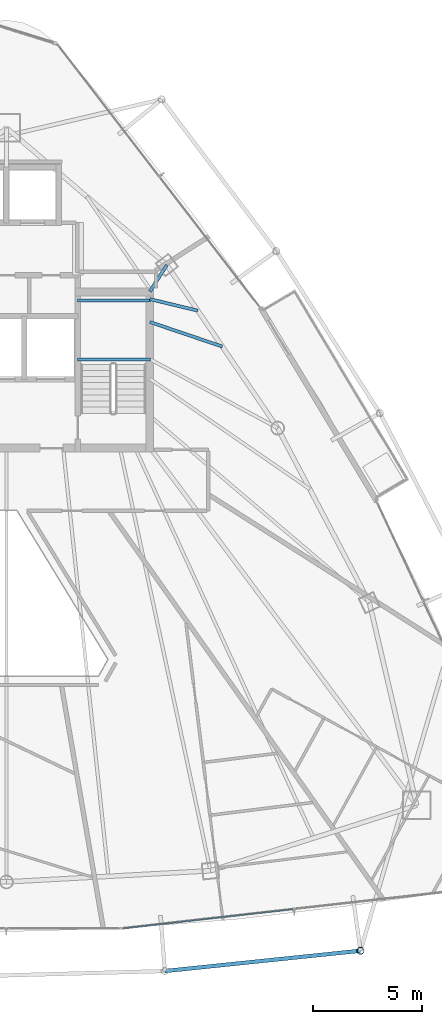
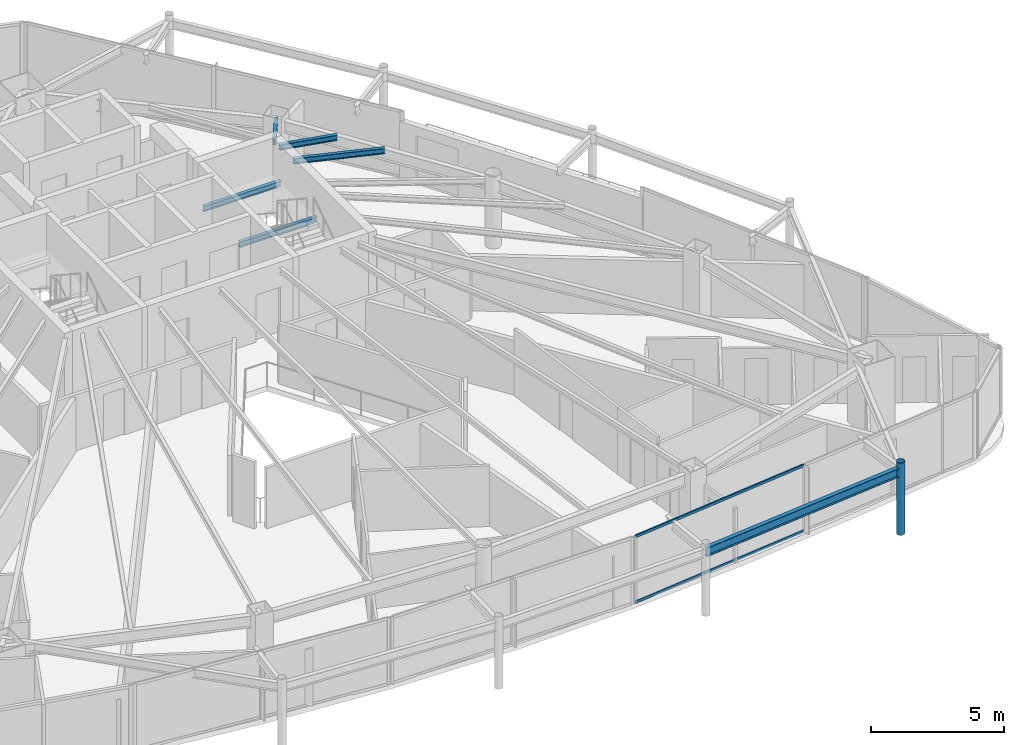
# One storey, part 14 of 33: 6 beams, 3 members, 1 element without a shape of its own.
"""IFC4 building model written with IfcOpenShell, lengths in metres."""

from ifc_helpers import new_model, si_unit, direction, frame, origin, origin_2d, place, context, subcontext, project, spatial, hollow_rectangle, hollow_circle, i_section, extrude, material, layer, layer_set, material_profile, profile_set, type_object, element, aggregate, save


model = new_model("IFC4")

# Units and contexts
model_context = context("Model", 3, precision=1e-05, world=origin(), true_north=direction((0.0, 1.0)))
body_context = subcontext(model_context, "Body", "Model", "MODEL_VIEW")
ifc_project = project(units=[si_unit("LENGTHUNIT", "METRE"), si_unit("AREAUNIT", "SQUARE_METRE"), si_unit("VOLUMEUNIT", "CUBIC_METRE"), si_unit("PLANEANGLEUNIT", "RADIAN"), si_unit("MASSUNIT", "GRAM", prefix="KILO")], contexts=[model_context])

# Site, building, storey
site_placement = place(None, origin())
site = spatial("IfcSite", under=ifc_project, at=site_placement, CompositionType="ELEMENT")
building_placement = place(site_placement, origin())
building = spatial("IfcBuilding", under=site, at=building_placement, Name="Orvanel Arch Residences", CompositionType="ELEMENT")
storey_placement = place(building_placement, frame((0.0, 0.0, 209.60009765625)))
storey = spatial("IfcBuildingStorey", under=building, at=storey_placement, Name="L59", CompositionType="ELEMENT", Elevation=209.60009765625)

# Beams
ifc_material_1 = material(Name="Structural steel AS/NZS 3679.1 Grade 300 (300 MPa)", Category="steel")
ifc_material_profile_1 = material_profile(ifc_material_1, i_section(OverallWidth=0.14599609375, OverallDepth=0.251953125, WebThickness=0.006103515625, FlangeThickness=0.008544921875, at=origin_2d()), Name="250UB31.4")
ifc_profile_set_1 = profile_set([ifc_material_profile_1], Name="Structural steel AS/NZS 3679.1 Grade 300 (300 MPa)")
beam_type_1 = type_object("IfcBeamType", Name="BJ-250UB", PredefinedType="JOIST", material=ifc_profile_set_1)
for number, where, z_axis, x_axis, name in (
    (1, (36.25, 30.780029296875, 1.323974609375), (1.0, 0.0, 0.0), (0.0, 1.0, 0.0), "L59 ST-2 Half-Landing Support Beam 1.1"),
    (2, (36.25, 33.47998046875, 1.323974609375), (1.0, 0.0, 0.0), (0.0, 1.0, 0.0), "L59 ST-2 Half-Landing Support Beam 1.2"),
):
    element("IfcBeam", number, at=place(storey_placement, frame(where, z_axis=z_axis, x_axis=x_axis)), inside=storey, type_object=beam_type_1, Name=name, PredefinedType="JOIST", context=body_context, shape_type="SweptSolid", body=[
        extrude(i_section(OverallWidth=0.14599609375, OverallDepth=0.251953125, WebThickness=0.006103515625, FlangeThickness=0.008544921875, at=origin_2d()), origin(), (0.0, 0.0, 1.0), 3.35009765625),
    ])
beam_1_placement = place(storey_placement, frame((39.574951171875, 33.89990234375, 2.933837890625), z_axis=(0.539395075146, 0.842052820735, 0.0), x_axis=(-0.842052820735, 0.539395075146, 0.0)))
element("IfcBeam", 3, at=beam_1_placement, inside=storey, type_object=beam_type_1, Name="L59 NNE Wing Floor Joist", PredefinedType="JOIST", context=body_context, shape_type="SweptSolid", body=[
    extrude(i_section(OverallWidth=0.14599609375, OverallDepth=0.251953125, WebThickness=0.006103515625, FlangeThickness=0.008544921875, at=origin_2d()), origin(), (0.0, 0.0, 1.0), 1.440673828125),
])
beam_2_placement = place(storey_placement, frame((39.574951171875, 32.5, 2.933837890625), z_axis=(0.947159269453, -0.320763648641, 0.0), x_axis=(0.320763648641, 0.947159269453, 0.0)))
element("IfcBeam", 4, at=beam_2_placement, inside=storey, type_object=beam_type_1, Name="L59 ENE Wing Floor Joist", PredefinedType="JOIST", context=body_context, shape_type="SweptSolid", body=[
    extrude(i_section(OverallWidth=0.14599609375, OverallDepth=0.251953125, WebThickness=0.006103515625, FlangeThickness=0.008544921875, at=origin_2d()), origin(), (0.0, 0.0, 1.0), 3.501220703125),
])
beam_3_placement = place(storey_placement, frame((39.574951171875, 33.550048828125, 2.933837890625), z_axis=(0.972256833016, -0.23391590509, 0.0), x_axis=(0.23391590509, 0.972256833016, 0.0)))
element("IfcBeam", 5, at=beam_3_placement, inside=storey, type_object=beam_type_1, Name="L59 JADD4 Wing Floor Joist", PredefinedType="JOIST", context=body_context, shape_type="SweptSolid", body=[
    extrude(i_section(OverallWidth=0.14599609375, OverallDepth=0.251953125, WebThickness=0.006103515625, FlangeThickness=0.008544921875, at=origin_2d()), origin(), (0.0, 0.0, 1.0), 2.26171875),
])
ifc_material_profile_2 = material_profile(ifc_material_1, i_section(OverallWidth=0.177978515625, OverallDepth=0.406005859375, WebThickness=0.0078125, FlangeThickness=0.0126953125, at=origin_2d()), Name="410UB59.7")
ifc_profile_set_2 = profile_set([ifc_material_profile_2], Name="Structural steel AS/NZS 3679.1 Grade 300 (300 MPa)")
beam_type_2 = type_object("IfcBeamType", Name="OB-410UB-EXT", PredefinedType="SPANDREL", material=ifc_profile_set_2)
beam_4_placement = place(storey_placement, frame((40.260986328125, 2.759033203125, 2.85693359375), z_axis=(0.994662112957, 0.103185662997, 0.0), x_axis=(-0.103185662997, 0.994662112957, 0.0)))
element("IfcBeam", 6, at=beam_4_placement, inside=storey, type_object=beam_type_2, Name="L59 Outer Perimeter Floor Ring Beam 07", PredefinedType="SPANDREL", context=body_context, shape_type="SweptSolid", body=[
    extrude(i_section(OverallWidth=0.177978515625, OverallDepth=0.406005859375, WebThickness=0.0078125, FlangeThickness=0.0126953125, at=origin_2d()), origin(), (0.0, 0.0, 1.0), 9.01220703125),
])

# Member
ifc_material_2 = material(Name="Structural steel AS/NZS 1163 C350L0 (Grade 350)", Category="steel")
ifc_material_profile_3 = material_profile(ifc_material_2, hollow_circle(Radius=0.162109375, WallThickness=0.0126953125, at=origin_2d()), Name="CHS324x12.7")
ifc_profile_set_3 = profile_set([ifc_material_profile_3], Name="Structural steel AS/NZS 1163 C350L0 (Grade 350)")
member_type_1 = type_object("IfcMemberType", Name="ST-324CHS-EXT", PredefinedType="STRUT", material=ifc_profile_set_3)
member_1_placement = place(storey_placement, frame((49.22509765625, 3.68896484375, 0.0), z_axis=(0.0, 0.0, 1.0), x_axis=(1.0, 0.0, 0.0)))
element("IfcMember", 7, at=member_1_placement, inside=storey, type_object=member_type_1, Name="L59 Outer Perimeter Frame Post 08", PredefinedType="STRUT", context=body_context, shape_type="SweptSolid", body=[
    extrude(hollow_circle(Radius=0.162109375, WallThickness=0.0126953125, at=origin_2d()), origin(), (0.0, 0.0, 1.0), 3.2998046875),
])

# Curtain wall, members
ifc_material_3 = material(Name="Bronze-anodised aluminium AA6063-T6", Category="aluminium")
ifc_layer = layer(ifc_material_3, 0.175048828125)
ifc_layer_set = layer_set([ifc_layer], Name="Bronze-anodised aluminium AA6063-T6")
curtain_wall_type = type_object("IfcCurtainWallType", Name="CW4-HI-SYS", PredefinedType="NOTDEFINED", material=ifc_layer_set)
curtain_wall_placement = place(storey_placement, origin())
curtain_wall = element("IfcCurtainWall", 8, at=curtain_wall_placement, inside=storey, type_object=curtain_wall_type, Name="L59 CW4-HI-SYS Unitised Curtain Wall", PredefinedType="NOTDEFINED")
ifc_material_profile_4 = material_profile(ifc_material_3, hollow_rectangle(XDim=0.06005859375, YDim=0.1201171875, WallThickness=0.00341796875, at=origin_2d()), Name="ALU120x60x3.5")
ifc_profile_set_4 = profile_set([ifc_material_profile_4], Name="Bronze-anodised aluminium AA6063-T6")
member_type_2 = type_object("IfcMemberType", Name="TRN-120x60", PredefinedType="USERDEFINED", material=ifc_profile_set_4)
member_2_placement = place(storey_placement, frame((38.3515625, 4.71630859375, 0.02978515625), z_axis=(0.993706100485, 0.112018685313, 0.0), x_axis=(-0.112018685313, 0.993706100485, 0.0)))
member_2 = element("IfcMember", 9, at=member_2_placement, type_object=member_type_2, Name="CW-S4 transom 1.1", ObjectType="TRANSOM", PredefinedType="USERDEFINED", context=body_context, shape_type="SweptSolid", body=[
    extrude(hollow_rectangle(XDim=0.06005859375, YDim=0.1201171875, WallThickness=0.00341796875, at=origin_2d()), origin(), (0.0, 0.0, 1.0), 7.8330078125),
])
member_3_placement = place(storey_placement, frame((38.3515625, 4.71630859375, 3.02978515625), z_axis=(0.993706100485, 0.112018685313, 0.0), x_axis=(-0.112018685313, 0.993706100485, 0.0)))
member_3 = element("IfcMember", 10, at=member_3_placement, type_object=member_type_2, Name="CW-S4 transom 1.2", ObjectType="TRANSOM", PredefinedType="USERDEFINED", context=body_context, shape_type="SweptSolid", body=[
    extrude(hollow_rectangle(XDim=0.06005859375, YDim=0.1201171875, WallThickness=0.00341796875, at=origin_2d()), origin(), (0.0, 0.0, 1.0), 7.8330078125),
])
aggregate(curtain_wall, [member_2, member_3])

save(model, "model.ifc")
